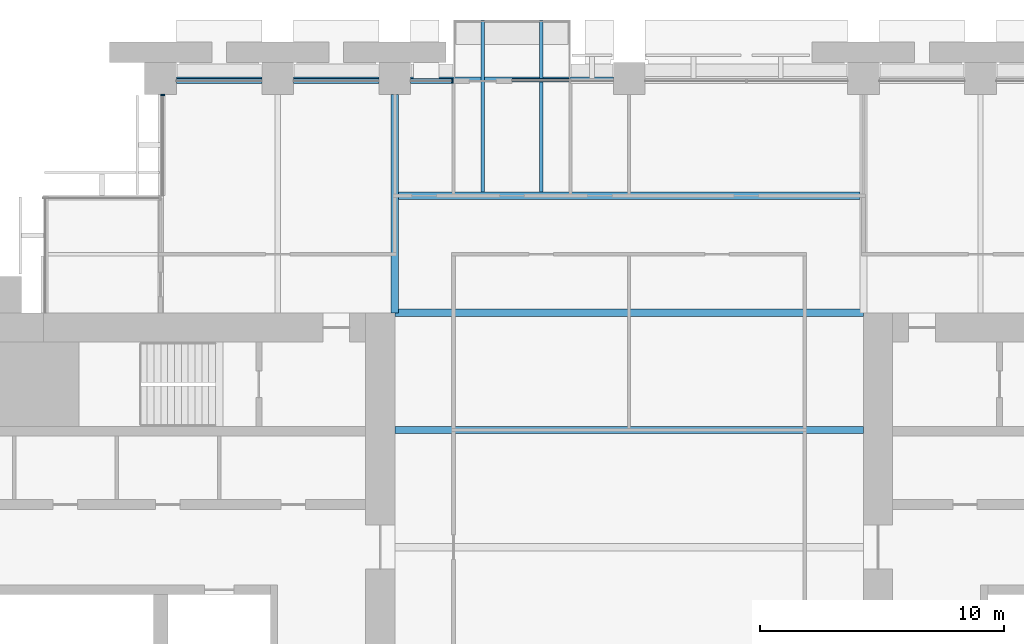
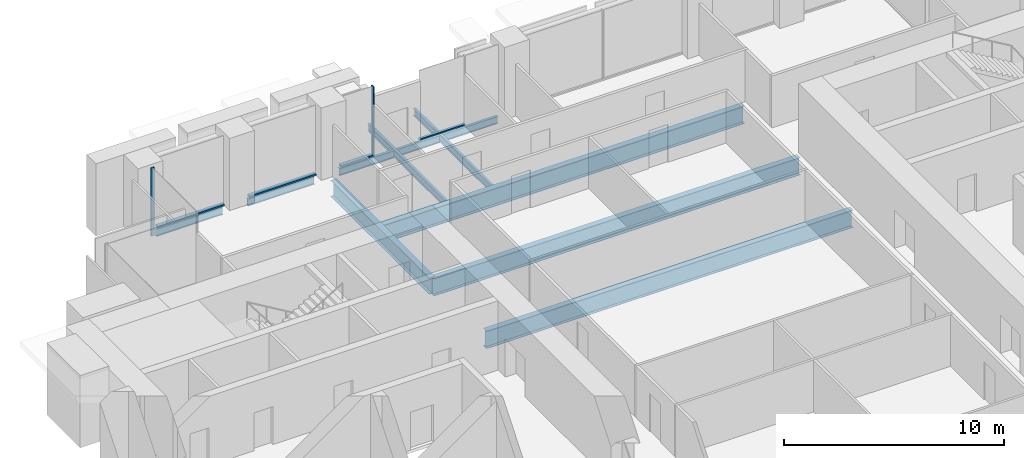
# One storey, part 6 of 15: 11 beams, 6 members, 3 elements without a shape of their own.
"""IFC4 building model written with IfcOpenShell, lengths in metres."""

from ifc_helpers import new_model, si_unit, direction, frame, origin, origin_2d, place, context, subcontext, project, spatial, rectangle, i_section, extrude, material, material_profile, profile_set, type_object, element, aggregate, save


model = new_model("IFC4")

# Units and contexts
model_context = context("Model", 3, precision=1e-05, world=origin(), true_north=direction((0.0, 1.0)))
body_context = subcontext(model_context, "Body", "Model", "MODEL_VIEW")
ifc_project = project(units=[si_unit("LENGTHUNIT", "METRE"), si_unit("AREAUNIT", "SQUARE_METRE"), si_unit("VOLUMEUNIT", "CUBIC_METRE"), si_unit("PLANEANGLEUNIT", "RADIAN"), si_unit("MASSUNIT", "GRAM", prefix="KILO")], contexts=[model_context])

# Site, building, storey
site_placement = place(None, origin())
site = spatial("IfcSite", under=ifc_project, at=site_placement, CompositionType="ELEMENT")
building_placement = place(site_placement, origin())
building = spatial("IfcBuilding", under=site, at=building_placement, Name="Baori Bourse Tower", CompositionType="ELEMENT")
storey_placement = place(building_placement, frame((0.0, 0.0, 47.0)))
storey = spatial("IfcBuildingStorey", under=building, at=storey_placement, Name="L09", CompositionType="ELEMENT", Elevation=47.0)

# Beams
ifc_material_1 = material(Name="Steel A992 Gr 50", Category="steel")
ifc_material_profile_1 = material_profile(ifc_material_1, i_section(OverallWidth=0.140380859375, OverallDepth=0.40380859375, WebThickness=0.007080078125, FlangeThickness=0.01123046875, at=origin_2d()), Name="W16x31")
ifc_profile_set_1 = profile_set([ifc_material_profile_1], Name="Steel A992 Gr 50")
beam_type_1 = type_object("IfcBeamType", Name="Balcony beam W16x31", PredefinedType="BEAM", material=ifc_profile_set_1)
for number, where, z_axis, x_axis, name in (
    (1, (22.800048828125, 50.39990234375, -0.36181640625), (0.0, -1.0, 0.0), (1.0, 0.0, 0.0), "Balcony beam L09"),
    (2, (25.199951171875, 50.39990234375, -0.36181640625), (0.0, -1.0, 0.0), (1.0, 0.0, 0.0), "Balcony beam L09"),
):
    element("IfcBeam", number, at=place(storey_placement, frame(where, z_axis=z_axis, x_axis=x_axis)), inside=storey, type_object=beam_type_1, Name=name, PredefinedType="BEAM", context=body_context, shape_type="SweptSolid", body=[
        extrude(i_section(OverallWidth=0.140380859375, OverallDepth=0.40380859375, WebThickness=0.007080078125, FlangeThickness=0.01123046875, at=origin_2d()), origin(), (0.0, 0.0, 1.0), 7.050048828125),
    ])

# Curtain wall, members
ifc_material_2 = material(Name="Pale anodised aluminium", Category="aluminium")
curtain_wall_type_1 = type_object("IfcCurtainWallType", Name="CW1 Curtain wall", PredefinedType="NOTDEFINED", material=ifc_material_2)
curtain_wall_1_placement = place(storey_placement, origin())
curtain_wall_1 = element("IfcCurtainWall", 3, at=curtain_wall_1_placement, inside=storey, type_object=curtain_wall_type_1, Name="Curtain wall CW1 L09 6", PredefinedType="NOTDEFINED")
ifc_material_3 = material(Name="Pale anodised aluminium", Category="aluminium")
ifc_material_profile_2 = material_profile(ifc_material_3, rectangle(XDim=0.199951171875, YDim=0.06005859375, at=origin_2d()), Name="Mullion 60x200")
ifc_profile_set_2 = profile_set([ifc_material_profile_2], Name="Pale anodised aluminium")
member_type_1 = type_object("IfcMemberType", Name="CW1 Curtain wall mullion", PredefinedType="MULLION", material=ifc_profile_set_2)
member_1_placement = place(storey_placement, frame((21.570068359375, 47.89990234375, 0.080078125), z_axis=(0.0, 0.0, 1.0), x_axis=(0.0, -1.0, 0.0)))
member_1 = element("IfcMember", 4, at=member_1_placement, type_object=member_type_1, Name="Curtain wall CW1 mullion", PredefinedType="MULLION", context=body_context, shape_type="SweptSolid", body=[
    extrude(rectangle(XDim=0.199951171875, YDim=0.06005859375, at=origin_2d()), origin(), (0.0, 0.0, 1.0), 3.760009765625),
])
ifc_material_4 = material(Name="Pale anodised aluminium", Category="aluminium")
ifc_material_profile_3 = material_profile(ifc_material_4, rectangle(XDim=0.199951171875, YDim=0.080078125, at=origin_2d()), Name="Transom 80x200")
ifc_profile_set_3 = profile_set([ifc_material_profile_3], Name="Pale anodised aluminium")
member_type_2 = type_object("IfcMemberType", Name="CW1 Curtain wall transom", PredefinedType="USERDEFINED", material=ifc_profile_set_3)
member_2_placement = place(storey_placement, frame((21.60009765625, 47.89990234375, 0.0400390625), z_axis=(-1.0, 0.0, 0.0), x_axis=(0.0, -1.0, 0.0)))
member_2 = element("IfcMember", 5, at=member_2_placement, type_object=member_type_2, Name="Curtain wall CW1 sill rail", ObjectType="TRANSOM", PredefinedType="USERDEFINED", context=body_context, shape_type="SweptSolid", body=[
    extrude(rectangle(XDim=0.199951171875, YDim=0.080078125, at=origin_2d()), origin(), (0.0, 0.0, 1.0), 1.75),
])
member_3_placement = place(storey_placement, frame((18.550048828125, 47.89990234375, 0.0400390625), z_axis=(-1.0, 0.0, 0.0), x_axis=(0.0, -1.0, 0.0)))
member_3 = element("IfcMember", 6, at=member_3_placement, type_object=member_type_2, Name="Curtain wall CW1 sill rail", ObjectType="TRANSOM", PredefinedType="USERDEFINED", context=body_context, shape_type="SweptSolid", body=[
    extrude(rectangle(XDim=0.199951171875, YDim=0.080078125, at=origin_2d()), origin(), (0.0, 0.0, 1.0), 3.5),
])
member_4_placement = place(storey_placement, frame((13.75, 47.89990234375, 0.0400390625), z_axis=(-1.0, 0.0, 0.0), x_axis=(0.0, -1.0, 0.0)))
member_4 = element("IfcMember", 7, at=member_4_placement, type_object=member_type_2, Name="Curtain wall CW1 sill rail", ObjectType="TRANSOM", PredefinedType="USERDEFINED", context=body_context, shape_type="SweptSolid", body=[
    extrude(rectangle(XDim=0.199951171875, YDim=0.080078125, at=origin_2d()), origin(), (0.0, 0.0, 1.0), 3.5),
])
aggregate(curtain_wall_1, [member_2, member_1, member_3, member_4])

# Curtain wall, member
ifc_material_5 = material(Name="Pale anodised aluminium", Category="aluminium")
curtain_wall_type_2 = type_object("IfcCurtainWallType", Name="CW2 Curtain wall", PredefinedType="NOTDEFINED", material=ifc_material_5)
curtain_wall_2_placement = place(storey_placement, origin())
curtain_wall_2 = element("IfcCurtainWall", 8, at=curtain_wall_2_placement, inside=storey, type_object=curtain_wall_type_2, Name="Curtain wall CW2 L09 7", PredefinedType="NOTDEFINED")
ifc_material_6 = material(Name="Pale anodised aluminium", Category="aluminium")
ifc_material_profile_4 = material_profile(ifc_material_6, rectangle(XDim=0.179931640625, YDim=0.054931640625, at=origin_2d()), Name="Mullion 55x180")
ifc_profile_set_4 = profile_set([ifc_material_profile_4], Name="Pale anodised aluminium")
member_type_3 = type_object("IfcMemberType", Name="CW2 Curtain wall mullion", PredefinedType="MULLION", material=ifc_profile_set_4)
member_5_placement = place(storey_placement, frame((9.68994140625, 47.322509765625, 0.070068359375), z_axis=(0.0, 0.0, 1.0), x_axis=(1.0, 0.0, 0.0)))
member_5 = element("IfcMember", 9, at=member_5_placement, type_object=member_type_3, Name="Curtain wall CW2 mullion", PredefinedType="MULLION", context=body_context, shape_type="SweptSolid", body=[
    extrude(rectangle(XDim=0.179931640625, YDim=0.054931640625, at=origin_2d()), origin(), (0.0, 0.0, 1.0), 3.77001953125),
])
aggregate(curtain_wall_2, [member_5])

ifc_material_7 = material(Name="Pale anodised aluminium", Category="aluminium")
curtain_wall_type_3 = type_object("IfcCurtainWallType", Name="CW6 Curtain wall", PredefinedType="NOTDEFINED", material=ifc_material_7)
curtain_wall_3_placement = place(storey_placement, origin())
curtain_wall_3 = element("IfcCurtainWall", 10, at=curtain_wall_3_placement, inside=storey, type_object=curtain_wall_type_3, Name="Curtain wall CW6 L09 5", PredefinedType="NOTDEFINED")
ifc_material_8 = material(Name="Pale anodised aluminium", Category="aluminium")
ifc_material_profile_5 = material_profile(ifc_material_8, rectangle(XDim=0.14990234375, YDim=0.06494140625, at=origin_2d()), Name="Transom 65x150")
ifc_profile_set_5 = profile_set([ifc_material_profile_5], Name="Pale anodised aluminium")
member_type_4 = type_object("IfcMemberType", Name="CW6 Curtain wall transom", PredefinedType="USERDEFINED", material=ifc_profile_set_5)
member_6_placement = place(storey_placement, frame((26.39990234375, 47.925048828125, 0.032470703125), z_axis=(-1.0, 0.0, 0.0), x_axis=(0.0, -1.0, 0.0)))
member_6 = element("IfcMember", 11, at=member_6_placement, type_object=member_type_4, Name="Curtain wall CW6 sill rail", ObjectType="TRANSOM", PredefinedType="USERDEFINED", context=body_context, shape_type="SweptSolid", body=[
    extrude(rectangle(XDim=0.14990234375, YDim=0.06494140625, at=origin_2d()), origin(), (0.0, 0.0, 1.0), 2.39990234375),
])
aggregate(curtain_wall_3, [member_6])

# Beams
ifc_material_9 = material(Name="Steel A992 Gr 50", Category="steel")
ifc_material_profile_6 = material_profile(ifc_material_9, i_section(OverallWidth=0.140380859375, OverallDepth=0.40380859375, WebThickness=0.007080078125, FlangeThickness=0.01123046875, at=origin_2d()), Name="W16x31")
ifc_profile_set_6 = profile_set([ifc_material_profile_6], Name="Steel A992 Gr 50")
beam_type_2 = type_object("IfcBeamType", Name="Edge beam W16x31", PredefinedType="BEAM", material=ifc_profile_set_6)
for number, where, z_axis, x_axis, name in (
    (12, (10.25, 48.0, -0.36181640625), (1.0, 0.0, 0.0), (0.0, 1.0, 0.0), "Edge beam L09"),
    (13, (15.050048828125, 48.0, -0.36181640625), (1.0, 0.0, 0.0), (0.0, 1.0, 0.0), "Edge beam L09"),
):
    element("IfcBeam", number, at=place(storey_placement, frame(where, z_axis=z_axis, x_axis=x_axis)), inside=storey, type_object=beam_type_2, Name=name, PredefinedType="BEAM", context=body_context, shape_type="SweptSolid", body=[
        extrude(i_section(OverallWidth=0.140380859375, OverallDepth=0.40380859375, WebThickness=0.007080078125, FlangeThickness=0.01123046875, at=origin_2d()), origin(), (0.0, 0.0, 1.0), 3.5),
    ])
beam_1_placement = place(storey_placement, frame((19.85009765625, 48.0, -0.36181640625), z_axis=(1.0, 0.0, 0.0), x_axis=(0.0, 1.0, 0.0)))
element("IfcBeam", 14, at=beam_1_placement, inside=storey, type_object=beam_type_2, Name="Edge beam L09", PredefinedType="BEAM", context=body_context, shape_type="SweptSolid", body=[
    extrude(i_section(OverallWidth=0.140380859375, OverallDepth=0.40380859375, WebThickness=0.007080078125, FlangeThickness=0.01123046875, at=origin_2d()), origin(), (0.0, 0.0, 1.0), 2.879638671875),
])
beam_2_placement = place(storey_placement, frame((22.8701171875, 48.0, -0.36181640625), z_axis=(1.0, 0.0, 0.0), x_axis=(0.0, 1.0, 0.0)))
element("IfcBeam", 15, at=beam_2_placement, inside=storey, type_object=beam_type_2, Name="Edge beam L09", PredefinedType="BEAM", context=body_context, shape_type="SweptSolid", body=[
    extrude(i_section(OverallWidth=0.140380859375, OverallDepth=0.40380859375, WebThickness=0.007080078125, FlangeThickness=0.01123046875, at=origin_2d()), origin(), (0.0, 0.0, 1.0), 2.259765625),
])
beam_3_placement = place(storey_placement, frame((25.270263671875, 48.0, -0.36181640625), z_axis=(1.0, 0.0, 0.0), x_axis=(0.0, 1.0, 0.0)))
element("IfcBeam", 16, at=beam_3_placement, inside=storey, type_object=beam_type_2, Name="Edge beam L09", PredefinedType="BEAM", context=body_context, shape_type="SweptSolid", body=[
    extrude(i_section(OverallWidth=0.140380859375, OverallDepth=0.40380859375, WebThickness=0.007080078125, FlangeThickness=0.01123046875, at=origin_2d()), origin(), (0.0, 0.0, 1.0), 2.879638671875),
])
ifc_material_10 = material(Name="Steel A992 Gr 50", Category="steel")
ifc_material_profile_7 = material_profile(ifc_material_10, i_section(OverallWidth=0.2998046875, OverallDepth=0.97021484375, WebThickness=0.01611328125, FlangeThickness=0.02099609375, at=origin_2d()), Name="W40x149")
ifc_profile_set_7 = profile_set([ifc_material_profile_7], Name="Steel A992 Gr 50")
beam_type_3 = type_object("IfcBeamType", Name="Floor beam W40x149", PredefinedType="BEAM", material=ifc_profile_set_7)
for number, where, z_axis, x_axis, name in (
    (17, (19.199951171875, 33.60009765625, -0.64501953125), (1.0, 0.0, 0.0), (0.0, 1.0, 0.0), "Floor beam L09"),
    (18, (19.199951171875, 38.39990234375, -0.64501953125), (1.0, 0.0, 0.0), (0.0, 1.0, 0.0), "Floor beam L09"),
):
    element("IfcBeam", number, at=place(storey_placement, frame(where, z_axis=z_axis, x_axis=x_axis)), inside=storey, type_object=beam_type_3, Name=name, PredefinedType="BEAM", context=body_context, shape_type="SweptSolid", body=[
        extrude(i_section(OverallWidth=0.2998046875, OverallDepth=0.97021484375, WebThickness=0.01611328125, FlangeThickness=0.02099609375, at=origin_2d()), origin(), (0.0, 0.0, 1.0), 19.199951171875),
    ])
ifc_material_11 = material(Name="Steel A992 Gr 50", Category="steel")
ifc_material_profile_8 = material_profile(ifc_material_11, i_section(OverallWidth=0.2998046875, OverallDepth=0.990478515625, WebThickness=0.0166015625, FlangeThickness=0.030517578125, at=origin_2d()), Name="W40x183")
ifc_profile_set_8 = profile_set([ifc_material_profile_8], Name="Steel A992 Gr 50")
beam_type_4 = type_object("IfcBeamType", Name="Floor beam W40x183", PredefinedType="BEAM", material=ifc_profile_set_8)
beam_4_placement = place(storey_placement, frame((19.352294921875, 43.199951171875, -0.6552734375), z_axis=(1.0, 0.0, 0.0), x_axis=(0.0, 1.0, 0.0)))
element("IfcBeam", 19, at=beam_4_placement, inside=storey, type_object=beam_type_4, Name="Floor beam L09", PredefinedType="BEAM", context=body_context, shape_type="SweptSolid", body=[
    extrude(i_section(OverallWidth=0.2998046875, OverallDepth=0.990478515625, WebThickness=0.0166015625, FlangeThickness=0.030517578125, at=origin_2d()), origin(), (0.0, 0.0, 1.0), 18.901611328125),
])
ifc_material_12 = material(Name="Steel A992 Gr 50", Category="steel")
ifc_material_profile_9 = material_profile(ifc_material_12, i_section(OverallWidth=0.3046875, OverallDepth=0.904296875, WebThickness=0.01513671875, FlangeThickness=0.02001953125, at=origin_2d()), Name="W36x135")
ifc_profile_set_9 = profile_set([ifc_material_profile_9], Name="Steel A992 Gr 50")
beam_type_5 = type_object("IfcBeamType", Name="Girder W36x135", PredefinedType="BEAM", material=ifc_profile_set_9)
beam_5_placement = place(storey_placement, frame((19.199951171875, 38.39990234375, -0.612060546875), z_axis=(0.0, 1.0, 0.0), x_axis=(-1.0, 0.0, 0.0)))
element("IfcBeam", 20, at=beam_5_placement, inside=storey, type_object=beam_type_5, Name="Girder L09", PredefinedType="BEAM", context=body_context, shape_type="SweptSolid", body=[
    extrude(i_section(OverallWidth=0.3046875, OverallDepth=0.904296875, WebThickness=0.01513671875, FlangeThickness=0.02001953125, at=origin_2d()), origin(), (0.0, 0.0, 1.0), 8.9501953125),
])

save(model, "model.ifc")
